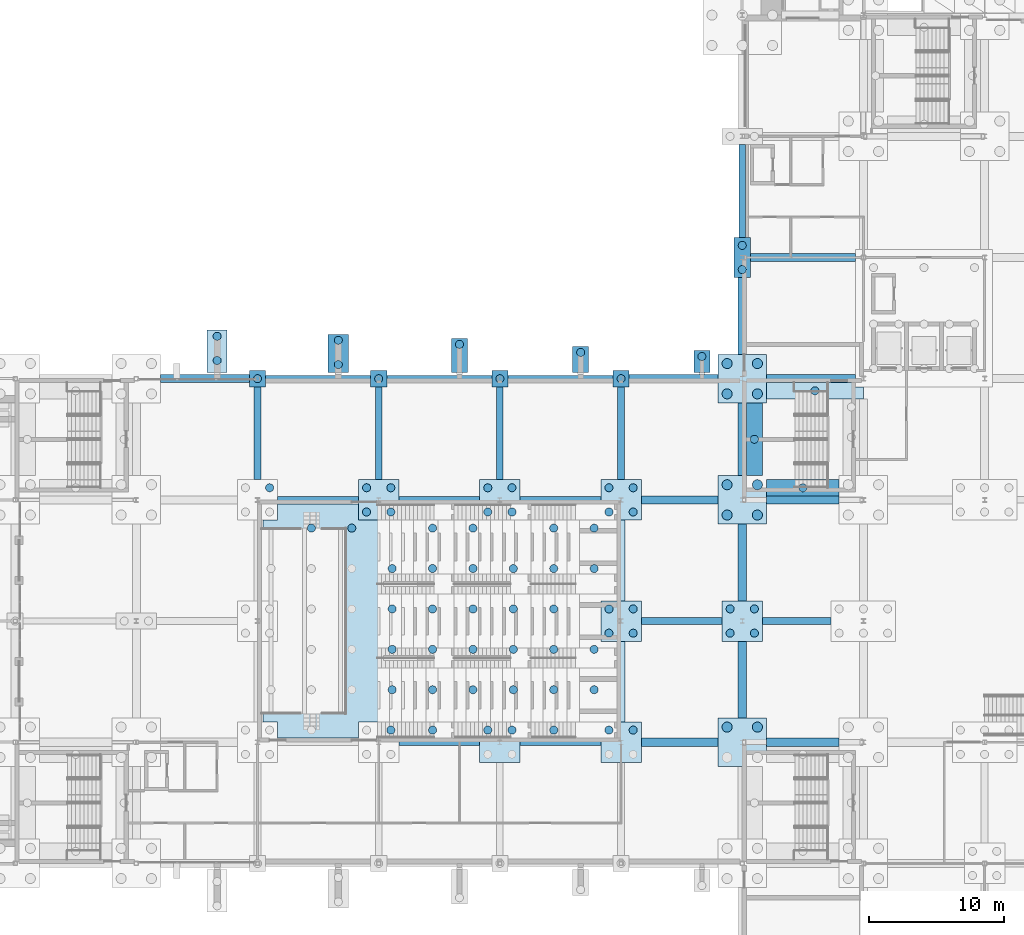
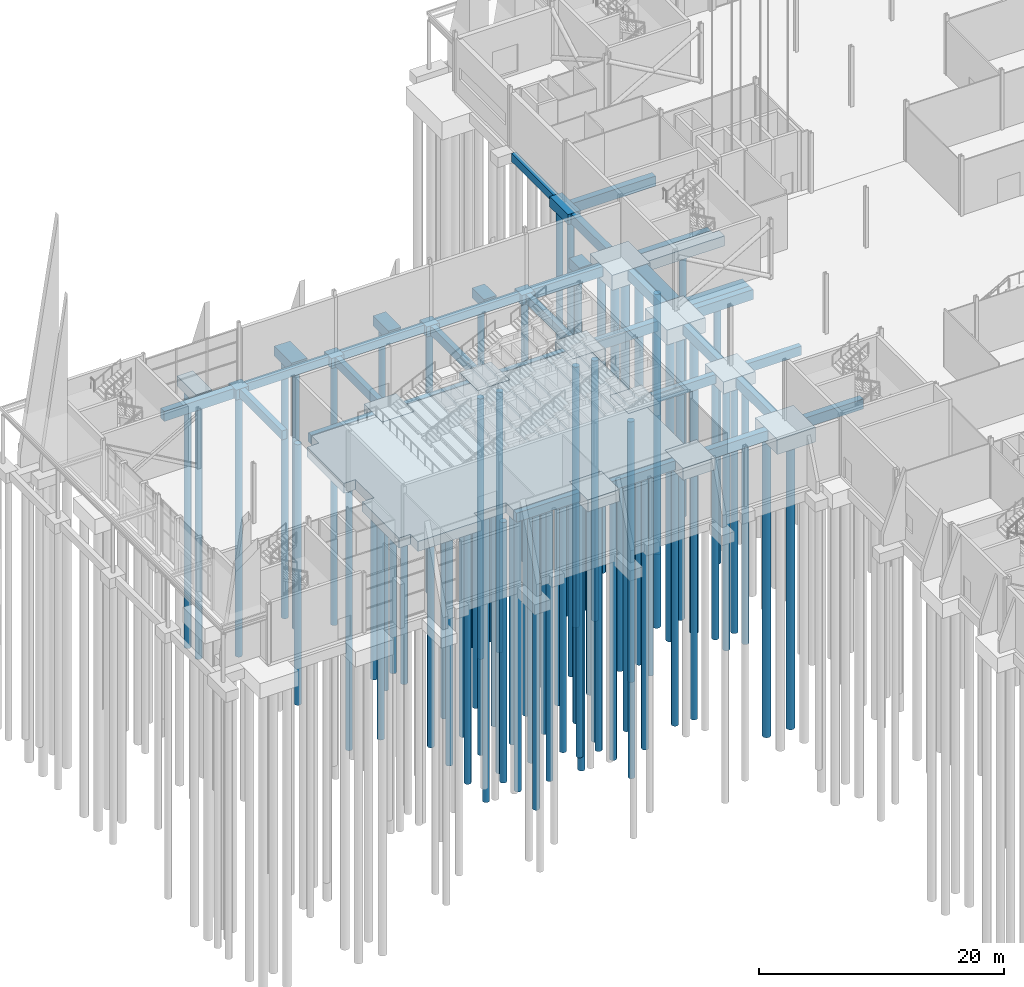
# One storey, part 5 of 139: 83 piles, 51 footings.
"""IFC4 building model written with IfcOpenShell, lengths in metres."""

from ifc_helpers import new_model, si_unit, direction, frame, origin, origin_2d, place, context, subcontext, project, spatial, polyline, rectangle, circle, outline, extrude, material, material_profile, profile_set, type_object, element, save


model = new_model("IFC4")

# Units and contexts
model_context = context("Model", 3, precision=1e-05, world=origin(), true_north=direction((0.0, 1.0)))
body_context = subcontext(model_context, "Body", "Model", "MODEL_VIEW")
ifc_project = project(units=[si_unit("LENGTHUNIT", "METRE"), si_unit("AREAUNIT", "SQUARE_METRE"), si_unit("VOLUMEUNIT", "CUBIC_METRE"), si_unit("PLANEANGLEUNIT", "RADIAN"), si_unit("MASSUNIT", "GRAM", prefix="KILO")], contexts=[model_context])

# Site, building, storey
site_placement = place(None, origin())
site = spatial("IfcSite", under=ifc_project, at=site_placement, CompositionType="ELEMENT")
building_placement = place(site_placement, origin())
building = spatial("IfcBuilding", under=site, at=building_placement, Name="Shorebreak Coast Museum", CompositionType="ELEMENT")
storey_placement = place(building_placement, origin())
storey = spatial("IfcBuildingStorey", under=building, at=storey_placement, Name="L00", CompositionType="ELEMENT", Elevation=0.0)

# Footings
ifc_material_1 = material(Name="Concrete N50 (50 MPa)", Category="concrete")
footing_type_1 = type_object("IfcFootingType", Name="Footing ground beam 450x800", PredefinedType="FOOTING_BEAM", material=ifc_material_1)
for number, where, z_axis, x_axis, name in (
    (1, (22.5, 90.0, -1.10009765625), (0.0, 0.0, 1.0), (1.0, 0.0, 0.0), "Ground beam 3L to 4L"),
    (2, (31.5, 90.0, -1.10009765625), (0.0, 0.0, 1.0), (1.0, 0.0, 0.0), "Ground beam 4L to 5L"),
    (3, (40.5, 90.0, -1.10009765625), (0.0, 0.0, 1.0), (1.0, 0.0, 0.0), "Ground beam 5L to 6L"),
):
    element("IfcFooting", number, at=place(storey_placement, frame(where, z_axis=z_axis, x_axis=x_axis)), inside=storey, type_object=footing_type_1, Name=name, PredefinedType="FOOTING_BEAM", context=body_context, shape_type="SweptSolid", body=[
        extrude(rectangle(XDim=7.800048828125, YDim=0.449951171875, at=origin_2d()), origin(), (0.0, 0.0, 1.0), 0.800048828125),
    ])
footing_1_placement = place(storey_placement, frame((54.0, 103.949951171875, -1.10009765625), z_axis=(0.0, 0.0, 1.0), x_axis=(1.0, 0.0, 0.0)))
element("IfcFooting", 4, at=footing_1_placement, inside=storey, type_object=footing_type_1, Name="Ground beam 7M to 7N", PredefinedType="FOOTING_BEAM", context=body_context, shape_type="SweptSolid", body=[
    extrude(rectangle(XDim=0.449951171875, YDim=6.89990234375, at=origin_2d()), origin(), (0.0, 0.0, 1.0), 0.800048828125),
])
ifc_material_2 = material(Name="Concrete N50 (50 MPa)", Category="concrete")
footing_type_2 = type_object("IfcFootingType", Name="Footing ground beam 500x900", PredefinedType="FOOTING_BEAM", material=ifc_material_2)
for number, where, z_axis, x_axis, name in (
    (5, (31.5, 63.0, -1.199951171875), (0.0, 0.0, 1.0), (1.0, 0.0, 0.0), "Ground beam 4H to 5H"),
    (6, (40.5, 63.0, -1.199951171875), (0.0, 0.0, 1.0), (1.0, 0.0, 0.0), "Ground beam 5H to 6H"),
    (7, (49.5, 72.0, -1.199951171875), (0.0, 0.0, 1.0), (1.0, 0.0, 0.0), "Ground beam 6J to 7J"),
):
    element("IfcFooting", number, at=place(storey_placement, frame(where, z_axis=z_axis, x_axis=x_axis)), inside=storey, type_object=footing_type_2, Name=name, PredefinedType="FOOTING_BEAM", context=body_context, shape_type="SweptSolid", body=[
        extrude(rectangle(XDim=6.0, YDim=0.5, at=origin_2d()), origin(), (0.0, 0.0, 1.0), 0.89990234375),
    ])
footing_2_placement = place(storey_placement, frame((58.050048828125, 72.0, -1.199951171875), z_axis=(0.0, 0.0, 1.0), x_axis=(1.0, 0.0, 0.0)))
element("IfcFooting", 8, at=footing_2_placement, inside=storey, type_object=footing_type_2, Name="Ground beam 7J to 8J", PredefinedType="FOOTING_BEAM", context=body_context, shape_type="SweptSolid", body=[
    extrude(rectangle(XDim=5.10009765625, YDim=0.5, at=origin_2d()), origin(), (0.0, 0.0, 1.0), 0.89990234375),
])
footing_3_placement = place(storey_placement, frame((22.5, 81.0, -1.199951171875), z_axis=(0.0, 0.0, 1.0), x_axis=(1.0, 0.0, 0.0)))
element("IfcFooting", 9, at=footing_3_placement, inside=storey, type_object=footing_type_2, Name="Ground beam 3K to 4K", PredefinedType="FOOTING_BEAM", context=body_context, shape_type="SweptSolid", body=[
    extrude(rectangle(XDim=6.0, YDim=0.5, at=origin_2d()), origin(), (0.0, 0.0, 1.0), 0.89990234375),
])
footing_4_placement = place(storey_placement, frame((18.0, 85.949951171875, -1.199951171875), z_axis=(0.0, 0.0, 1.0), x_axis=(1.0, 0.0, 0.0)))
element("IfcFooting", 10, at=footing_4_placement, inside=storey, type_object=footing_type_2, Name="Ground beam 3K to 3L", PredefinedType="FOOTING_BEAM", context=body_context, shape_type="SweptSolid", body=[
    extrude(rectangle(XDim=0.5, YDim=6.89990234375, at=origin_2d()), origin(), (0.0, 0.0, 1.0), 0.89990234375),
])
footing_5_placement = place(storey_placement, frame((31.5, 81.0, -1.199951171875), z_axis=(0.0, 0.0, 1.0), x_axis=(1.0, 0.0, 0.0)))
element("IfcFooting", 11, at=footing_5_placement, inside=storey, type_object=footing_type_2, Name="Ground beam 4K to 5K", PredefinedType="FOOTING_BEAM", context=body_context, shape_type="SweptSolid", body=[
    extrude(rectangle(XDim=6.0, YDim=0.5, at=origin_2d()), origin(), (0.0, 0.0, 1.0), 0.89990234375),
])
footing_6_placement = place(storey_placement, frame((27.0, 85.949951171875, -1.199951171875), z_axis=(0.0, 0.0, 1.0), x_axis=(1.0, 0.0, 0.0)))
element("IfcFooting", 12, at=footing_6_placement, inside=storey, type_object=footing_type_2, Name="Ground beam 4K to 4L", PredefinedType="FOOTING_BEAM", context=body_context, shape_type="SweptSolid", body=[
    extrude(rectangle(XDim=0.5, YDim=6.89990234375, at=origin_2d()), origin(), (0.0, 0.0, 1.0), 0.89990234375),
])
footing_7_placement = place(storey_placement, frame((40.5, 81.0, -1.199951171875), z_axis=(0.0, 0.0, 1.0), x_axis=(1.0, 0.0, 0.0)))
element("IfcFooting", 13, at=footing_7_placement, inside=storey, type_object=footing_type_2, Name="Ground beam 5K to 6K", PredefinedType="FOOTING_BEAM", context=body_context, shape_type="SweptSolid", body=[
    extrude(rectangle(XDim=6.0, YDim=0.5, at=origin_2d()), origin(), (0.0, 0.0, 1.0), 0.89990234375),
])
for number, where, z_axis, x_axis, name in (
    (14, (36.0, 85.949951171875, -1.199951171875), (0.0, 0.0, 1.0), (1.0, 0.0, 0.0), "Ground beam 5K to 5L"),
    (15, (45.0, 85.949951171875, -1.199951171875), (0.0, 0.0, 1.0), (1.0, 0.0, 0.0), "Ground beam 6K to 6L"),
):
    element("IfcFooting", number, at=place(storey_placement, frame(where, z_axis=z_axis, x_axis=x_axis)), inside=storey, type_object=footing_type_2, Name=name, PredefinedType="FOOTING_BEAM", context=body_context, shape_type="SweptSolid", body=[
        extrude(rectangle(XDim=0.5, YDim=6.89990234375, at=origin_2d()), origin(), (0.0, 0.0, 1.0), 0.89990234375),
    ])
ifc_material_3 = material(Name="Concrete N50 (50 MPa)", Category="concrete")
footing_type_3 = type_object("IfcFootingType", Name="Footing ground beam 600x1000", PredefinedType="FOOTING_BEAM", material=ifc_material_3)
footing_8_placement = place(storey_placement, frame((49.35009765625, 63.0, -1.300048828125), z_axis=(0.0, 0.0, 1.0), x_axis=(1.0, 0.0, 0.0)))
element("IfcFooting", 16, at=footing_8_placement, inside=storey, type_object=footing_type_3, Name="Ground beam 6H to 7H", PredefinedType="FOOTING_BEAM", context=body_context, shape_type="SweptSolid", body=[
    extrude(rectangle(XDim=5.699951171875, YDim=0.60009765625, at=origin_2d()), origin(), (0.0, 0.0, 1.0), 1.0),
])
footing_9_placement = place(storey_placement, frame((58.5, 63.0, -1.300048828125), z_axis=(0.0, 0.0, 1.0), x_axis=(1.0, 0.0, 0.0)))
element("IfcFooting", 17, at=footing_9_placement, inside=storey, type_object=footing_type_3, Name="Ground beam 7H to 8H", PredefinedType="FOOTING_BEAM", context=body_context, shape_type="SweptSolid", body=[
    extrude(rectangle(XDim=5.39990234375, YDim=0.60009765625, at=origin_2d()), origin(), (0.0, 0.0, 1.0), 1.0),
])
for number, where, z_axis, x_axis, name in (
    (18, (54.0, 67.64990234375, -1.300048828125), (0.0, 0.0, 1.0), (1.0, 0.0, 0.0), "Ground beam 7H to 7J"),
    (19, (54.0, 76.35009765625, -1.300048828125), (0.0, 0.0, 1.0), (1.0, 0.0, 0.0), "Ground beam 7J to 7K"),
):
    element("IfcFooting", number, at=place(storey_placement, frame(where, z_axis=z_axis, x_axis=x_axis)), inside=storey, type_object=footing_type_3, Name=name, PredefinedType="FOOTING_BEAM", context=body_context, shape_type="SweptSolid", body=[
        extrude(rectangle(XDim=0.60009765625, YDim=5.699951171875, at=origin_2d()), origin(), (0.0, 0.0, 1.0), 1.0),
    ])
footing_10_placement = place(storey_placement, frame((49.35009765625, 81.0, -1.300048828125), z_axis=(0.0, 0.0, 1.0), x_axis=(1.0, 0.0, 0.0)))
element("IfcFooting", 20, at=footing_10_placement, inside=storey, type_object=footing_type_3, Name="Ground beam 6K to 7K", PredefinedType="FOOTING_BEAM", context=body_context, shape_type="SweptSolid", body=[
    extrude(rectangle(XDim=5.699951171875, YDim=0.60009765625, at=origin_2d()), origin(), (0.0, 0.0, 1.0), 1.0),
])
footing_11_placement = place(storey_placement, frame((58.5, 81.0, -1.300048828125), z_axis=(0.0, 0.0, 1.0), x_axis=(1.0, 0.0, 0.0)))
element("IfcFooting", 21, at=footing_11_placement, inside=storey, type_object=footing_type_3, Name="Ground beam 7K to 8K", PredefinedType="FOOTING_BEAM", context=body_context, shape_type="SweptSolid", body=[
    extrude(rectangle(XDim=5.39990234375, YDim=0.60009765625, at=origin_2d()), origin(), (0.0, 0.0, 1.0), 1.0),
])
footing_12_placement = place(storey_placement, frame((54.0, 85.5, -1.300048828125), z_axis=(0.0, 0.0, 1.0), x_axis=(1.0, 0.0, 0.0)))
element("IfcFooting", 22, at=footing_12_placement, inside=storey, type_object=footing_type_3, Name="Ground beam 7K to 7L", PredefinedType="FOOTING_BEAM", context=body_context, shape_type="SweptSolid", body=[
    extrude(rectangle(XDim=0.60009765625, YDim=5.39990234375, at=origin_2d()), origin(), (0.0, 0.0, 1.0), 1.0),
])
for number, where, z_axis, x_axis, name in (
    (23, (14.10009765625, 90.0, -1.300048828125), (0.0, 0.0, 1.0), (1.0, 0.0, 0.0), "Ground beam 2L to 3L"),
    (24, (48.89990234375, 90.0, -1.300048828125), (0.0, 0.0, 1.0), (1.0, 0.0, 0.0), "Ground beam 6L to 7L"),
    (25, (59.10009765625, 90.0, -1.300048828125), (0.0, 0.0, 1.0), (1.0, 0.0, 0.0), "Ground beam 7L to 8L"),
):
    element("IfcFooting", number, at=place(storey_placement, frame(where, z_axis=z_axis, x_axis=x_axis)), inside=storey, type_object=footing_type_3, Name=name, PredefinedType="FOOTING_BEAM", context=body_context, shape_type="SweptSolid", body=[
        extrude(rectangle(XDim=6.60009765625, YDim=0.60009765625, at=origin_2d()), origin(), (0.0, 0.0, 1.0), 1.0),
    ])
footing_13_placement = place(storey_placement, frame((54.0, 94.64990234375, -1.300048828125), z_axis=(0.0, 0.0, 1.0), x_axis=(1.0, 0.0, 0.0)))
element("IfcFooting", 26, at=footing_13_placement, inside=storey, type_object=footing_type_3, Name="Ground beam 7L to 7M", PredefinedType="FOOTING_BEAM", context=body_context, shape_type="SweptSolid", body=[
    extrude(rectangle(XDim=0.60009765625, YDim=5.699951171875, at=origin_2d()), origin(), (0.0, 0.0, 1.0), 1.0),
])
footing_14_placement = place(storey_placement, frame((58.5, 99.0, -1.300048828125), z_axis=(0.0, 0.0, 1.0), x_axis=(1.0, 0.0, 0.0)))
element("IfcFooting", 27, at=footing_14_placement, inside=storey, type_object=footing_type_3, Name="Ground beam 7M to 8M", PredefinedType="FOOTING_BEAM", context=body_context, shape_type="SweptSolid", body=[
    extrude(rectangle(XDim=7.800048828125, YDim=0.60009765625, at=origin_2d()), origin(), (0.0, 0.0, 1.0), 1.0),
])
ifc_material_4 = material(Name="Concrete N50 (50 MPa)", Category="concrete")
footing_type_4 = type_object("IfcFootingType", Name="Footing pile cap 1200x1200x1000", PredefinedType="PILE_CAP", material=ifc_material_4)
for number, where, z_axis, x_axis, name in (
    (28, (18.0, 90.0, -1.300048828125), (0.0, 0.0, 1.0), (1.0, 0.0, 0.0), "Pile cap 3L"),
    (29, (27.0, 90.0, -1.300048828125), (0.0, 0.0, 1.0), (1.0, 0.0, 0.0), "Pile cap 4L"),
    (30, (36.0, 90.0, -1.300048828125), (0.0, 0.0, 1.0), (1.0, 0.0, 0.0), "Pile cap 5L"),
    (31, (45.0, 90.0, -1.300048828125), (0.0, 0.0, 1.0), (1.0, 0.0, 0.0), "Pile cap 6L"),
):
    element("IfcFooting", number, at=place(storey_placement, frame(where, z_axis=z_axis, x_axis=x_axis)), inside=storey, type_object=footing_type_4, Name=name, PredefinedType="PILE_CAP", context=body_context, shape_type="SweptSolid", body=[
        extrude(rectangle(XDim=1.199951171875, YDim=1.199951171875, at=origin_2d()), origin(), (0.0, 0.0, 1.0), 1.0),
    ])
ifc_material_5 = material(Name="Concrete N50 (50 MPa)", Category="concrete")
footing_type_5 = type_object("IfcFootingType", Name="Footing pile cap 1200x3000x1000", PredefinedType="PILE_CAP", material=ifc_material_5)
footing_15_placement = place(storey_placement, frame((54.0, 99.0, -1.300048828125), z_axis=(0.0, 0.0, 1.0), x_axis=(1.0, 0.0, 0.0)))
element("IfcFooting", 32, at=footing_15_placement, inside=storey, type_object=footing_type_5, Name="Pile cap 7M", PredefinedType="PILE_CAP", context=body_context, shape_type="SweptSolid", body=[
    extrude(rectangle(XDim=1.199951171875, YDim=3.0, at=origin_2d()), origin(), (0.0, 0.0, 1.0), 1.0),
])
ifc_material_6 = material(Name="Concrete N50 (50 MPa)", Category="concrete")
footing_type_6 = type_object("IfcFootingType", Name="Footing pile cap 3000x3000x1200", PredefinedType="PILE_CAP", material=ifc_material_6)
for number, where, z_axis, x_axis, name in (
    (33, (36.0, 63.0, -1.5), (0.0, 0.0, 1.0), (1.0, 0.0, 0.0), "Pile cap 5H"),
    (34, (45.0, 63.0, -1.5), (0.0, 0.0, 1.0), (1.0, 0.0, 0.0), "Pile cap 6H"),
    (35, (45.0, 72.0, -1.5), (0.0, 0.0, 1.0), (1.0, 0.0, 0.0), "Pile cap 6J"),
    (36, (54.0, 72.0, -1.5), (0.0, 0.0, 1.0), (1.0, 0.0, 0.0), "Pile cap 7J"),
    (37, (27.0, 81.0, -1.5), (0.0, 0.0, 1.0), (1.0, 0.0, 0.0), "Pile cap 4K"),
    (38, (36.0, 81.0, -1.5), (0.0, 0.0, 1.0), (1.0, 0.0, 0.0), "Pile cap 5K"),
    (39, (45.0, 81.0, -1.5), (0.0, 0.0, 1.0), (1.0, 0.0, 0.0), "Pile cap 6K"),
):
    element("IfcFooting", number, at=place(storey_placement, frame(where, z_axis=z_axis, x_axis=x_axis)), inside=storey, type_object=footing_type_6, Name=name, PredefinedType="PILE_CAP", context=body_context, shape_type="SweptSolid", body=[
        extrude(rectangle(XDim=3.0, YDim=3.0, at=origin_2d()), origin(), (0.0, 0.0, 1.0), 1.199951171875),
    ])
ifc_material_7 = material(Name="Concrete N50 (50 MPa)", Category="concrete")
footing_type_7 = type_object("IfcFootingType", Name="Footing pile cap 3600x3600x1500", PredefinedType="PILE_CAP", material=ifc_material_7)
for number, where, z_axis, x_axis, name in (
    (40, (54.0, 63.0, -1.800048828125), (0.0, 0.0, 1.0), (1.0, 0.0, 0.0), "Pile cap 7H"),
    (41, (54.0, 81.0, -1.800048828125), (0.0, 0.0, 1.0), (1.0, 0.0, 0.0), "Pile cap 7K"),
    (42, (54.0, 90.0, -1.800048828125), (0.0, 0.0, 1.0), (1.0, 0.0, 0.0), "Pile cap 7L"),
):
    element("IfcFooting", number, at=place(storey_placement, frame(where, z_axis=z_axis, x_axis=x_axis)), inside=storey, type_object=footing_type_7, Name=name, PredefinedType="PILE_CAP", context=body_context, shape_type="SweptSolid", body=[
        extrude(rectangle(XDim=3.60009765625, YDim=3.60009765625, at=origin_2d()), origin(), (0.0, 0.0, 1.0), 1.5),
    ])
ifc_material_8 = material(Name="Concrete N50 (50 MPa)", Category="concrete")
footing_type_8 = type_object("IfcFootingType", Name="Footing raft 26900x17400x1000 notched", PredefinedType="PILE_CAP", material=ifc_material_8)
footing_16_placement = place(storey_placement, frame((0.0, 0.0, -1.300048828125)))
element("IfcFooting", 43, at=footing_16_placement, inside=storey, type_object=footing_type_8, Name="Auditorium raker mat footing", PredefinedType="PILE_CAP", context=body_context, shape_type="SweptSolid", body=[
    extrude(outline(polyline([(45.300048828125, 64.5), (43.5, 64.5), (43.5, 63.300048828125), (37.5, 63.300048828125), (37.5, 64.5), (34.5, 64.5), (34.5, 63.300048828125), (28.5, 63.300048828125), (28.5, 64.5), (25.5, 64.5), (25.5, 63.300048828125), (19.5, 63.300048828125), (19.5, 64.5), (18.39990234375, 64.5), (18.39990234375, 70.5), (19.5, 70.5), (19.5, 73.5), (18.39990234375, 73.5), (18.39990234375, 79.5), (19.5, 79.5), (19.5, 80.699951171875), (25.5, 80.699951171875), (25.5, 79.5), (28.5, 79.5), (28.5, 80.699951171875), (34.5, 80.699951171875), (34.5, 79.5), (37.5, 79.5), (37.5, 80.699951171875), (43.5, 80.699951171875), (43.5, 79.5), (45.300048828125, 79.5), (45.300048828125, 73.5), (43.5, 73.5), (43.5, 70.5), (45.300048828125, 70.5), (45.300048828125, 64.5)])), origin(), (0.0, 0.0, 1.0), 1.0),
])
ifc_material_9 = material(Name="Concrete N50 (50 MPa)", Category="concrete")
footing_type_9 = type_object("IfcFootingType", Name="Footing strip footing 1200x1650x1000", PredefinedType="STRIP_FOOTING", material=ifc_material_9)
footing_17_placement = place(storey_placement, frame((51.0, 91.27490234375, -1.300048828125), z_axis=(0.0, 0.0, 1.0), x_axis=(1.0, 0.0, 0.0)))
element("IfcFooting", 44, at=footing_17_placement, inside=storey, type_object=footing_type_9, Name="Fin pad WN13", PredefinedType="STRIP_FOOTING", context=body_context, shape_type="SweptSolid", body=[
    extrude(rectangle(XDim=1.199951171875, YDim=1.64990234375, at=origin_2d()), origin(), (0.0, 0.0, 1.0), 1.0),
])
ifc_material_10 = material(Name="Concrete N50 (50 MPa)", Category="concrete")
footing_type_10 = type_object("IfcFootingType", Name="Footing strip footing 1200x1950x1000", PredefinedType="STRIP_FOOTING", material=ifc_material_10)
footing_18_placement = place(storey_placement, frame((42.0, 91.425048828125, -1.300048828125), z_axis=(0.0, 0.0, 1.0), x_axis=(1.0, 0.0, 0.0)))
element("IfcFooting", 45, at=footing_18_placement, inside=storey, type_object=footing_type_10, Name="Fin pad WN12", PredefinedType="STRIP_FOOTING", context=body_context, shape_type="SweptSolid", body=[
    extrude(rectangle(XDim=1.199951171875, YDim=1.949951171875, at=origin_2d()), origin(), (0.0, 0.0, 1.0), 1.0),
])
ifc_material_11 = material(Name="Concrete N50 (50 MPa)", Category="concrete")
footing_type_11 = type_object("IfcFootingType", Name="Footing strip footing 1200x2550x1000", PredefinedType="STRIP_FOOTING", material=ifc_material_11)
footing_19_placement = place(storey_placement, frame((33.0, 91.72509765625, -1.300048828125), z_axis=(0.0, 0.0, 1.0), x_axis=(1.0, 0.0, 0.0)))
element("IfcFooting", 46, at=footing_19_placement, inside=storey, type_object=footing_type_11, Name="Fin pad WN11", PredefinedType="STRIP_FOOTING", context=body_context, shape_type="SweptSolid", body=[
    extrude(rectangle(XDim=1.199951171875, YDim=2.550048828125, at=origin_2d()), origin(), (0.0, 0.0, 1.0), 1.0),
])
ifc_material_12 = material(Name="Concrete N50 (50 MPa)", Category="concrete")
footing_type_12 = type_object("IfcFootingType", Name="Footing strip footing 1200x5400x1000", PredefinedType="STRIP_FOOTING", material=ifc_material_12)
footing_20_placement = place(storey_placement, frame((54.89990234375, 85.5, -1.300048828125), z_axis=(0.0, 0.0, 1.0), x_axis=(1.0, 0.0, 0.0)))
element("IfcFooting", 47, at=footing_20_placement, inside=storey, type_object=footing_type_12, Name="Core wall strip footing ST03 west side", PredefinedType="STRIP_FOOTING", context=body_context, shape_type="SweptSolid", body=[
    extrude(rectangle(XDim=1.199951171875, YDim=5.39990234375, at=origin_2d()), origin(), (0.0, 0.0, 1.0), 1.0),
])
ifc_material_13 = material(Name="Concrete N50 (50 MPa)", Category="concrete")
footing_type_13 = type_object("IfcFootingType", Name="Footing strip footing 1500x2850x1000", PredefinedType="STRIP_FOOTING", material=ifc_material_13)
footing_21_placement = place(storey_placement, frame((24.0, 91.875, -1.300048828125), z_axis=(0.0, 0.0, 1.0), x_axis=(1.0, 0.0, 0.0)))
element("IfcFooting", 48, at=footing_21_placement, inside=storey, type_object=footing_type_13, Name="Fin pad WN10", PredefinedType="STRIP_FOOTING", context=body_context, shape_type="SweptSolid", body=[
    extrude(rectangle(XDim=1.5, YDim=2.85009765625, at=origin_2d()), origin(), (0.0, 0.0, 1.0), 1.0),
])
ifc_material_14 = material(Name="Concrete N50 (50 MPa)", Category="concrete")
footing_type_14 = type_object("IfcFootingType", Name="Footing strip footing 1500x3150x1000", PredefinedType="STRIP_FOOTING", material=ifc_material_14)
footing_22_placement = place(storey_placement, frame((15.0, 92.02490234375, -1.300048828125), z_axis=(0.0, 0.0, 1.0), x_axis=(1.0, 0.0, 0.0)))
element("IfcFooting", 49, at=footing_22_placement, inside=storey, type_object=footing_type_14, Name="Fin pad WN09", PredefinedType="STRIP_FOOTING", context=body_context, shape_type="SweptSolid", body=[
    extrude(rectangle(XDim=1.5, YDim=3.14990234375, at=origin_2d()), origin(), (0.0, 0.0, 1.0), 1.0),
])
ifc_material_15 = material(Name="Concrete N50 (50 MPa)", Category="concrete")
footing_type_15 = type_object("IfcFootingType", Name="Footing strip footing 5400x1200x1000", PredefinedType="STRIP_FOOTING", material=ifc_material_15)
footing_23_placement = place(storey_placement, frame((58.5, 81.89990234375, -1.300048828125), z_axis=(0.0, 0.0, 1.0), x_axis=(1.0, 0.0, 0.0)))
element("IfcFooting", 50, at=footing_23_placement, inside=storey, type_object=footing_type_15, Name="Core wall strip footing ST03 south side", PredefinedType="STRIP_FOOTING", context=body_context, shape_type="SweptSolid", body=[
    extrude(rectangle(XDim=5.39990234375, YDim=1.199951171875, at=origin_2d()), origin(), (0.0, 0.0, 1.0), 1.0),
])
ifc_material_16 = material(Name="Concrete N50 (50 MPa)", Category="concrete")
footing_type_16 = type_object("IfcFootingType", Name="Footing strip footing 7200x1200x1000 notched", PredefinedType="STRIP_FOOTING", material=ifc_material_16)
footing_24_placement = place(storey_placement, frame((0.0, 0.0, -1.300048828125)))
element("IfcFooting", 51, at=footing_24_placement, inside=storey, type_object=footing_type_16, Name="Core wall strip footing ST03 north side", PredefinedType="STRIP_FOOTING", context=body_context, shape_type="SweptSolid", body=[
    extrude(outline(polyline([(63.0, 88.5), (55.800048828125, 88.5), (55.800048828125, 89.699951171875), (62.39990234375, 89.699951171875), (62.39990234375, 89.39990234375), (63.0, 89.39990234375), (63.0, 88.5)])), origin(), (0.0, 0.0, 1.0), 1.0),
])

# Piles
ifc_material_17 = material(Name="Concrete N50 (50 MPa)", Category="concrete")
ifc_material_profile_1 = material_profile(ifc_material_17, circle(Radius=0.300048828125, at=origin_2d()), Name="Pile bored 600 length 26")
ifc_profile_set_1 = profile_set([ifc_material_profile_1], Name="Concrete N50 (50 MPa)")
pile_type_1 = type_object("IfcPileType", Name="Pile bored 600 length 26", PredefinedType="BORED", material=ifc_profile_set_1)
for number, where, z_axis, x_axis, name in (
    (52, (27.89990234375, 63.89990234375, -1.5), (0.0, 0.0, -1.0), (1.0, 0.0, 0.0), "Bored pile Pile cap 4H 4"),
    (53, (35.10009765625, 63.89990234375, -1.5), (0.0, 0.0, -1.0), (1.0, 0.0, 0.0), "Bored pile Pile cap 5H 3"),
    (54, (36.89990234375, 63.89990234375, -1.5), (0.0, 0.0, -1.0), (1.0, 0.0, 0.0), "Bored pile Pile cap 5H 4"),
    (55, (44.10009765625, 63.89990234375, -1.5), (0.0, 0.0, -1.0), (1.0, 0.0, 0.0), "Bored pile Pile cap 6H 3"),
    (56, (45.89990234375, 63.89990234375, -1.5), (0.0, 0.0, -1.0), (1.0, 0.0, 0.0), "Bored pile Pile cap 6H 4"),
    (57, (44.10009765625, 71.10009765625, -1.5), (0.0, 0.0, -1.0), (1.0, 0.0, 0.0), "Bored pile Pile cap 6J 1"),
    (58, (45.89990234375, 71.10009765625, -1.5), (0.0, 0.0, -1.0), (1.0, 0.0, 0.0), "Bored pile Pile cap 6J 2"),
    (59, (44.10009765625, 72.89990234375, -1.5), (0.0, 0.0, -1.0), (1.0, 0.0, 0.0), "Bored pile Pile cap 6J 3"),
    (60, (45.89990234375, 72.89990234375, -1.5), (0.0, 0.0, -1.0), (1.0, 0.0, 0.0), "Bored pile Pile cap 6J 4"),
    (61, (53.10009765625, 71.10009765625, -1.5), (0.0, 0.0, -1.0), (1.0, 0.0, 0.0), "Bored pile Pile cap 7J 1"),
    (62, (54.89990234375, 71.10009765625, -1.5), (0.0, 0.0, -1.0), (1.0, 0.0, 0.0), "Bored pile Pile cap 7J 2"),
    (63, (53.10009765625, 72.89990234375, -1.5), (0.0, 0.0, -1.0), (1.0, 0.0, 0.0), "Bored pile Pile cap 7J 3"),
    (64, (54.89990234375, 72.89990234375, -1.5), (0.0, 0.0, -1.0), (1.0, 0.0, 0.0), "Bored pile Pile cap 7J 4"),
    (65, (18.89990234375, 81.89990234375, -1.5), (0.0, 0.0, -1.0), (1.0, 0.0, 0.0), "Bored pile Pile cap 3K 4"),
    (66, (26.10009765625, 80.10009765625, -1.5), (0.0, 0.0, -1.0), (1.0, 0.0, 0.0), "Bored pile Pile cap 4K 1"),
    (67, (27.89990234375, 80.10009765625, -1.5), (0.0, 0.0, -1.0), (1.0, 0.0, 0.0), "Bored pile Pile cap 4K 2"),
    (68, (26.10009765625, 81.89990234375, -1.5), (0.0, 0.0, -1.0), (1.0, 0.0, 0.0), "Bored pile Pile cap 4K 3"),
    (69, (27.89990234375, 81.89990234375, -1.5), (0.0, 0.0, -1.0), (1.0, 0.0, 0.0), "Bored pile Pile cap 4K 4"),
    (70, (35.10009765625, 80.10009765625, -1.5), (0.0, 0.0, -1.0), (1.0, 0.0, 0.0), "Bored pile Pile cap 5K 1"),
    (71, (36.89990234375, 80.10009765625, -1.5), (0.0, 0.0, -1.0), (1.0, 0.0, 0.0), "Bored pile Pile cap 5K 2"),
    (72, (35.10009765625, 81.89990234375, -1.5), (0.0, 0.0, -1.0), (1.0, 0.0, 0.0), "Bored pile Pile cap 5K 3"),
    (73, (36.89990234375, 81.89990234375, -1.5), (0.0, 0.0, -1.0), (1.0, 0.0, 0.0), "Bored pile Pile cap 5K 4"),
    (74, (44.10009765625, 80.10009765625, -1.5), (0.0, 0.0, -1.0), (1.0, 0.0, 0.0), "Bored pile Pile cap 6K 1"),
    (75, (45.89990234375, 80.10009765625, -1.5), (0.0, 0.0, -1.0), (1.0, 0.0, 0.0), "Bored pile Pile cap 6K 2"),
    (76, (44.10009765625, 81.89990234375, -1.5), (0.0, 0.0, -1.0), (1.0, 0.0, 0.0), "Bored pile Pile cap 6K 3"),
    (77, (45.89990234375, 81.89990234375, -1.5), (0.0, 0.0, -1.0), (1.0, 0.0, 0.0), "Bored pile Pile cap 6K 4"),
    (78, (18.0, 90.0, -1.300048828125), (0.0, 0.0, -1.0), (1.0, 0.0, 0.0), "Bored pile Pile cap 3L 1"),
    (79, (27.0, 90.0, -1.300048828125), (0.0, 0.0, -1.0), (1.0, 0.0, 0.0), "Bored pile Pile cap 4L 1"),
    (80, (36.0, 90.0, -1.300048828125), (0.0, 0.0, -1.0), (1.0, 0.0, 0.0), "Bored pile Pile cap 5L 1"),
    (81, (45.0, 90.0, -1.300048828125), (0.0, 0.0, -1.0), (1.0, 0.0, 0.0), "Bored pile Pile cap 6L 1"),
    (82, (54.0, 98.10009765625, -1.300048828125), (0.0, 0.0, -1.0), (1.0, 0.0, 0.0), "Bored pile Pile cap 7M 1"),
    (83, (54.0, 99.89990234375, -1.300048828125), (0.0, 0.0, -1.0), (1.0, 0.0, 0.0), "Bored pile Pile cap 7M 2"),
    (84, (58.5, 81.89990234375, -1.300048828125), (0.0, 0.0, -1.0), (1.0, 0.0, 0.0), "Bored pile Core wall strip footing ST03 south side 1"),
    (85, (59.39990234375, 89.10009765625, -1.300048828125), (0.0, 0.0, -1.0), (1.0, 0.0, 0.0), "Bored pile Core wall strip footing ST03 north side 1"),
    (86, (54.89990234375, 85.5, -1.300048828125), (0.0, 0.0, -1.0), (1.0, 0.0, 0.0), "Bored pile Core wall strip footing ST03 west side 1"),
    (87, (15.0, 93.14990234375, -1.300048828125), (0.0, 0.0, -1.0), (1.0, 0.0, 0.0), "Bored pile Fin pad WN09 1"),
    (88, (15.0, 91.35009765625, -1.300048828125), (0.0, 0.0, -1.0), (1.0, 0.0, 0.0), "Bored pile Fin pad WN09 2"),
    (89, (24.0, 92.85009765625, -1.300048828125), (0.0, 0.0, -1.0), (1.0, 0.0, 0.0), "Bored pile Fin pad WN10 1"),
    (90, (24.0, 91.050048828125, -1.300048828125), (0.0, 0.0, -1.0), (1.0, 0.0, 0.0), "Bored pile Fin pad WN10 2"),
    (91, (33.0, 92.550048828125, -1.300048828125), (0.0, 0.0, -1.0), (1.0, 0.0, 0.0), "Bored pile Fin pad WN11 1"),
    (92, (42.0, 91.949951171875, -1.300048828125), (0.0, 0.0, -1.0), (1.0, 0.0, 0.0), "Bored pile Fin pad WN12 1"),
    (93, (51.0, 91.64990234375, -1.300048828125), (0.0, 0.0, -1.0), (1.0, 0.0, 0.0), "Bored pile Fin pad WN13 1"),
):
    element("IfcPile", number, at=place(storey_placement, frame(where, z_axis=z_axis, x_axis=x_axis)), inside=storey, type_object=pile_type_1, Name=name, PredefinedType="BORED", context=body_context, shape_type="SweptSolid", body=[
        extrude(circle(Radius=0.300048828125, at=origin_2d()), origin(), (0.0, 0.0, 1.0), 26.0),
    ])
ifc_material_18 = material(Name="Concrete N50 (50 MPa)", Category="concrete")
ifc_material_profile_2 = material_profile(ifc_material_18, circle(Radius=0.300048828125, at=origin_2d()), Name="Pile bored 600 length 30")
ifc_profile_set_2 = profile_set([ifc_material_profile_2], Name="Concrete N50 (50 MPa)")
pile_type_2 = type_object("IfcPileType", Name="Pile bored 600 length 30", PredefinedType="BORED", material=ifc_profile_set_2)
for number, where, z_axis, x_axis, name in (
    (94, (22.0, 78.89990234375, -1.300048828125), (0.0, 0.0, -1.0), (1.0, 0.0, 0.0), "Bored pile Auditorium raker mat footing 8"),
    (95, (25.0, 78.89990234375, -1.300048828125), (0.0, 0.0, -1.0), (1.0, 0.0, 0.0), "Bored pile Auditorium raker mat footing 13"),
    (96, (28.0, 66.89990234375, -1.300048828125), (0.0, 0.0, -1.0), (1.0, 0.0, 0.0), "Bored pile Auditorium raker mat footing 14"),
    (97, (28.0, 69.89990234375, -1.300048828125), (0.0, 0.0, -1.0), (1.0, 0.0, 0.0), "Bored pile Auditorium raker mat footing 15"),
    (98, (28.0, 72.89990234375, -1.300048828125), (0.0, 0.0, -1.0), (1.0, 0.0, 0.0), "Bored pile Auditorium raker mat footing 16"),
    (99, (28.0, 75.89990234375, -1.300048828125), (0.0, 0.0, -1.0), (1.0, 0.0, 0.0), "Bored pile Auditorium raker mat footing 17"),
    (100, (31.0, 63.89990234375, -1.300048828125), (0.0, 0.0, -1.0), (1.0, 0.0, 0.0), "Bored pile Auditorium raker mat footing 18"),
    (101, (31.0, 66.89990234375, -1.300048828125), (0.0, 0.0, -1.0), (1.0, 0.0, 0.0), "Bored pile Auditorium raker mat footing 19"),
    (102, (31.0, 69.89990234375, -1.300048828125), (0.0, 0.0, -1.0), (1.0, 0.0, 0.0), "Bored pile Auditorium raker mat footing 20"),
    (103, (31.0, 72.89990234375, -1.300048828125), (0.0, 0.0, -1.0), (1.0, 0.0, 0.0), "Bored pile Auditorium raker mat footing 21"),
    (104, (31.0, 75.89990234375, -1.300048828125), (0.0, 0.0, -1.0), (1.0, 0.0, 0.0), "Bored pile Auditorium raker mat footing 22"),
    (105, (31.0, 78.89990234375, -1.300048828125), (0.0, 0.0, -1.0), (1.0, 0.0, 0.0), "Bored pile Auditorium raker mat footing 23"),
    (106, (34.0, 66.89990234375, -1.300048828125), (0.0, 0.0, -1.0), (1.0, 0.0, 0.0), "Bored pile Auditorium raker mat footing 24"),
    (107, (34.0, 69.89990234375, -1.300048828125), (0.0, 0.0, -1.0), (1.0, 0.0, 0.0), "Bored pile Auditorium raker mat footing 25"),
    (108, (34.0, 72.89990234375, -1.300048828125), (0.0, 0.0, -1.0), (1.0, 0.0, 0.0), "Bored pile Auditorium raker mat footing 26"),
    (109, (34.0, 75.89990234375, -1.300048828125), (0.0, 0.0, -1.0), (1.0, 0.0, 0.0), "Bored pile Auditorium raker mat footing 27"),
    (110, (34.0, 78.89990234375, -1.300048828125), (0.0, 0.0, -1.0), (1.0, 0.0, 0.0), "Bored pile Auditorium raker mat footing 28"),
    (111, (37.0, 66.89990234375, -1.300048828125), (0.0, 0.0, -1.0), (1.0, 0.0, 0.0), "Bored pile Auditorium raker mat footing 29"),
    (112, (37.0, 69.89990234375, -1.300048828125), (0.0, 0.0, -1.0), (1.0, 0.0, 0.0), "Bored pile Auditorium raker mat footing 30"),
    (113, (37.0, 72.89990234375, -1.300048828125), (0.0, 0.0, -1.0), (1.0, 0.0, 0.0), "Bored pile Auditorium raker mat footing 31"),
    (114, (37.0, 75.89990234375, -1.300048828125), (0.0, 0.0, -1.0), (1.0, 0.0, 0.0), "Bored pile Auditorium raker mat footing 32"),
    (115, (40.0, 63.89990234375, -1.300048828125), (0.0, 0.0, -1.0), (1.0, 0.0, 0.0), "Bored pile Auditorium raker mat footing 33"),
    (116, (40.0, 66.89990234375, -1.300048828125), (0.0, 0.0, -1.0), (1.0, 0.0, 0.0), "Bored pile Auditorium raker mat footing 34"),
    (117, (40.0, 69.89990234375, -1.300048828125), (0.0, 0.0, -1.0), (1.0, 0.0, 0.0), "Bored pile Auditorium raker mat footing 35"),
    (118, (40.0, 72.89990234375, -1.300048828125), (0.0, 0.0, -1.0), (1.0, 0.0, 0.0), "Bored pile Auditorium raker mat footing 36"),
    (119, (40.0, 75.89990234375, -1.300048828125), (0.0, 0.0, -1.0), (1.0, 0.0, 0.0), "Bored pile Auditorium raker mat footing 37"),
    (120, (40.0, 78.89990234375, -1.300048828125), (0.0, 0.0, -1.0), (1.0, 0.0, 0.0), "Bored pile Auditorium raker mat footing 38"),
    (121, (43.0, 66.89990234375, -1.300048828125), (0.0, 0.0, -1.0), (1.0, 0.0, 0.0), "Bored pile Auditorium raker mat footing 39"),
    (122, (43.0, 69.89990234375, -1.300048828125), (0.0, 0.0, -1.0), (1.0, 0.0, 0.0), "Bored pile Auditorium raker mat footing 40"),
    (123, (43.0, 75.89990234375, -1.300048828125), (0.0, 0.0, -1.0), (1.0, 0.0, 0.0), "Bored pile Auditorium raker mat footing 41"),
    (124, (43.0, 78.89990234375, -1.300048828125), (0.0, 0.0, -1.0), (1.0, 0.0, 0.0), "Bored pile Auditorium raker mat footing 42"),
):
    element("IfcPile", number, at=place(storey_placement, frame(where, z_axis=z_axis, x_axis=x_axis)), inside=storey, type_object=pile_type_2, Name=name, PredefinedType="BORED", context=body_context, shape_type="SweptSolid", body=[
        extrude(circle(Radius=0.300048828125, at=origin_2d()), origin(), (0.0, 0.0, 1.0), 30.0),
    ])
ifc_material_19 = material(Name="Concrete N50 (50 MPa)", Category="concrete")
ifc_material_profile_3 = material_profile(ifc_material_19, circle(Radius=0.375, at=origin_2d()), Name="Pile bored 750 length 30")
ifc_profile_set_3 = profile_set([ifc_material_profile_3], Name="Concrete N50 (50 MPa)")
pile_type_3 = type_object("IfcPileType", Name="Pile bored 750 length 30", PredefinedType="BORED", material=ifc_profile_set_3)
for number, where, z_axis, x_axis, name in (
    (125, (52.875, 64.125, -1.800048828125), (0.0, 0.0, -1.0), (1.0, 0.0, 0.0), "Bored pile Pile cap 7H 3"),
    (126, (55.125, 64.125, -1.800048828125), (0.0, 0.0, -1.0), (1.0, 0.0, 0.0), "Bored pile Pile cap 7H 4"),
    (127, (52.875, 79.875, -1.800048828125), (0.0, 0.0, -1.0), (1.0, 0.0, 0.0), "Bored pile Pile cap 7K 1"),
    (128, (55.125, 79.875, -1.800048828125), (0.0, 0.0, -1.0), (1.0, 0.0, 0.0), "Bored pile Pile cap 7K 2"),
    (129, (52.875, 82.125, -1.800048828125), (0.0, 0.0, -1.0), (1.0, 0.0, 0.0), "Bored pile Pile cap 7K 3"),
    (130, (55.125, 82.125, -1.800048828125), (0.0, 0.0, -1.0), (1.0, 0.0, 0.0), "Bored pile Pile cap 7K 4"),
    (131, (52.875, 88.875, -1.800048828125), (0.0, 0.0, -1.0), (1.0, 0.0, 0.0), "Bored pile Pile cap 7L 1"),
    (132, (55.125, 88.875, -1.800048828125), (0.0, 0.0, -1.0), (1.0, 0.0, 0.0), "Bored pile Pile cap 7L 2"),
    (133, (52.875, 91.125, -1.800048828125), (0.0, 0.0, -1.0), (1.0, 0.0, 0.0), "Bored pile Pile cap 7L 3"),
    (134, (55.125, 91.125, -1.800048828125), (0.0, 0.0, -1.0), (1.0, 0.0, 0.0), "Bored pile Pile cap 7L 4"),
):
    element("IfcPile", number, at=place(storey_placement, frame(where, z_axis=z_axis, x_axis=x_axis)), inside=storey, type_object=pile_type_3, Name=name, PredefinedType="BORED", context=body_context, shape_type="SweptSolid", body=[
        extrude(circle(Radius=0.375, at=origin_2d()), origin(), (0.0, 0.0, 1.0), 30.0),
    ])

save(model, "model.ifc")
